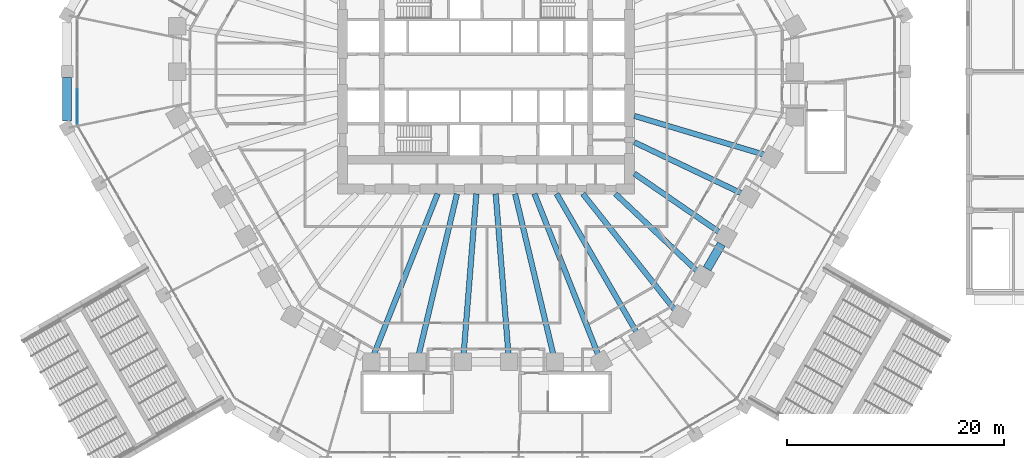
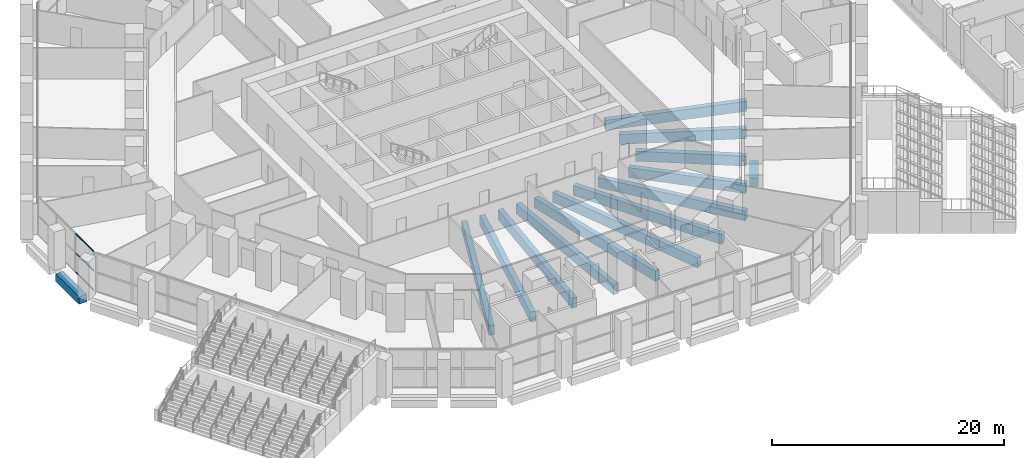
# One storey, part 5 of 38: 14 beams, 3 members, 1 element without a shape of its own.
"""IFC4 building model written with IfcOpenShell, lengths in metres."""

from ifc_helpers import new_model, si_unit, direction, frame, origin, origin_2d, place, context, subcontext, project, spatial, rectangle, extrude, material, material_profile, profile_set, type_object, element, aggregate, save


model = new_model("IFC4")

# Units and contexts
model_context = context("Model", 3, precision=1e-05, world=origin(), true_north=direction((0.0, 1.0)))
body_context = subcontext(model_context, "Body", "Model", "MODEL_VIEW")
ifc_project = project(units=[si_unit("LENGTHUNIT", "METRE"), si_unit("AREAUNIT", "SQUARE_METRE"), si_unit("VOLUMEUNIT", "CUBIC_METRE"), si_unit("PLANEANGLEUNIT", "RADIAN"), si_unit("MASSUNIT", "GRAM", prefix="KILO")], contexts=[model_context])

# Site, building, storey
site_placement = place(None, origin())
site = spatial("IfcSite", under=ifc_project, at=site_placement, CompositionType="ELEMENT")
building_placement = place(site_placement, origin())
building = spatial("IfcBuilding", under=site, at=building_placement, Name="Frailejon Research Tower", CompositionType="ELEMENT")
storey_placement = place(building_placement, frame((0.0, 0.0, 10.199951171875)))
storey = spatial("IfcBuildingStorey", under=building, at=storey_placement, Name="L02", CompositionType="ELEMENT", Elevation=10.199951171875)

# Beams
ifc_material_1 = material(Name="Concrete C60/75", Category="concrete")
ifc_material_profile_1 = material_profile(ifc_material_1, rectangle(XDim=0.800048828125, YDim=0.800048828125, at=origin_2d()), Name="Base ring beam")
ifc_profile_set_1 = profile_set([ifc_material_profile_1], Name="Concrete C60/75")
beam_type_1 = type_object("IfcBeamType", Name="Base ring beam", PredefinedType="BEAM", material=ifc_profile_set_1)
beam_1_placement = place(storey_placement, frame((-38.569091796875, -0.550048828125, -0.75), z_axis=(0.0, -1.0, 0.0), x_axis=(1.0, 0.0, 0.0)))
element("IfcBeam", 1, at=beam_1_placement, inside=storey, type_object=beam_type_1, Name="Base ring beam", PredefinedType="BEAM", context=body_context, shape_type="SweptSolid", body=[
    extrude(rectangle(XDim=0.800048828125, YDim=0.800048828125, at=origin_2d()), origin(), (0.0, 0.0, 1.0), 4.010986328125),
])
ifc_material_2 = material(Name="Concrete C60/75", Category="concrete")
ifc_material_profile_2 = material_profile(ifc_material_2, rectangle(XDim=0.5, YDim=1.050048828125, at=origin_2d()), Name="Girder 500x1050")
ifc_profile_set_2 = profile_set([ifc_material_profile_2], Name="Concrete C60/75")
beam_type_2 = type_object("IfcBeamType", Name="Girder 500x1050", PredefinedType="BEAM", material=ifc_profile_set_2)
beam_2_placement = place(storey_placement, frame((-10.318115234375, -26.03955078125, -0.875), z_axis=(0.368382887996, 0.929674162183, 0.0), x_axis=(-0.929674162183, 0.368382887996, 0.0)))
element("IfcBeam", 2, at=beam_2_placement, inside=storey, type_object=beam_type_2, Name="Girder 500x1050", PredefinedType="BEAM", context=body_context, shape_type="SweptSolid", body=[
    extrude(rectangle(XDim=0.5, YDim=1.050048828125, at=origin_2d()), origin(), (0.0, 0.0, 1.0), 15.908203125),
])
beam_3_placement = place(storey_placement, frame((-6.1923828125, -26.0458984375, -0.875), z_axis=(0.23129352639, 0.972884013976, 0.0), x_axis=(-0.972884013976, 0.23129352639, 0.0)))
element("IfcBeam", 3, at=beam_3_placement, inside=storey, type_object=beam_type_2, Name="Girder 500x1050", PredefinedType="BEAM", context=body_context, shape_type="SweptSolid", body=[
    extrude(rectangle(XDim=0.5, YDim=1.050048828125, at=origin_2d()), origin(), (0.0, 0.0, 1.0), 15.208251953125),
])
for number, where, z_axis, x_axis, name in (
    (4, (-2.064453125, -26.049560546875, -0.875), (0.079001387797, 0.996874506007, 0.0), (-0.996874506007, 0.079001387797, 0.0), "Girder 500x1050"),
    (5, (2.064453125, -26.049560546875, -0.875), (-0.079001387797, 0.996874506007, 0.0), (-0.996874506007, -0.079001387797, 0.0), "Girder 500x1050"),
):
    element("IfcBeam", number, at=place(storey_placement, frame(where, z_axis=z_axis, x_axis=x_axis)), inside=storey, type_object=beam_type_2, Name=name, PredefinedType="BEAM", context=body_context, shape_type="SweptSolid", body=[
        extrude(rectangle(XDim=0.5, YDim=1.050048828125, at=origin_2d()), origin(), (0.0, 0.0, 1.0), 14.845947265625),
    ])
beam_4_placement = place(storey_placement, frame((6.1923828125, -26.0458984375, -0.875), z_axis=(-0.23129352639, 0.972884013976, 0.0), x_axis=(-0.972884013976, -0.23129352639, 0.0)))
element("IfcBeam", 6, at=beam_4_placement, inside=storey, type_object=beam_type_2, Name="Girder 500x1050", PredefinedType="BEAM", context=body_context, shape_type="SweptSolid", body=[
    extrude(rectangle(XDim=0.5, YDim=1.050048828125, at=origin_2d()), origin(), (0.0, 0.0, 1.0), 15.208251953125),
])
beam_5_placement = place(storey_placement, frame((10.33740234375, -26.087646484375, -0.875), z_axis=(-0.368395300595, 0.929669243602, 0.0), x_axis=(-0.929669243602, -0.368395300595, 0.0)))
element("IfcBeam", 7, at=beam_5_placement, inside=storey, type_object=beam_type_2, Name="Girder 500x1050", PredefinedType="BEAM", context=body_context, shape_type="SweptSolid", body=[
    extrude(rectangle(XDim=0.5, YDim=1.050048828125, at=origin_2d()), origin(), (0.0, 0.0, 1.0), 15.960205078125),
])
beam_6_placement = place(storey_placement, frame((13.88134765625, -24.043212890625, -0.875), z_axis=(-0.500003328639, 0.866023481986, 0.0), x_axis=(-0.866023481986, -0.500003328639, 0.0)))
element("IfcBeam", 8, at=beam_6_placement, inside=storey, type_object=beam_type_2, Name="Girder 500x1050", PredefinedType="BEAM", context=body_context, shape_type="SweptSolid", body=[
    extrude(rectangle(XDim=0.5, YDim=1.050048828125, at=origin_2d()), origin(), (0.0, 0.0, 1.0), 14.7724609375),
])
beam_7_placement = place(storey_placement, frame((17.3916015625, -21.955322265625, -0.875), z_axis=(-0.620924993475, 0.783869984422, 0.0), x_axis=(-0.783869984422, -0.620924993475, 0.0)))
element("IfcBeam", 9, at=beam_7_placement, inside=storey, type_object=beam_type_2, Name="Girder 500x1050", PredefinedType="BEAM", context=body_context, shape_type="SweptSolid", body=[
    extrude(rectangle(XDim=0.5, YDim=1.050048828125, at=origin_2d()), origin(), (0.0, 0.0, 1.0), 13.656982421875),
])
beam_8_placement = place(storey_placement, frame((19.460205078125, -18.3857421875, -0.875), z_axis=(-0.72688803019, 0.686755991285, 0.0), x_axis=(-0.686755991285, -0.72688803019, 0.0)))
element("IfcBeam", 10, at=beam_8_placement, inside=storey, type_object=beam_type_2, Name="Girder 500x1050", PredefinedType="BEAM", context=body_context, shape_type="SweptSolid", body=[
    extrude(rectangle(XDim=0.5, YDim=1.050048828125, at=origin_2d()), origin(), (0.0, 0.0, 1.0), 10.390625),
])
beam_9_placement = place(storey_placement, frame((21.52734375, -14.8125, -0.875), z_axis=(-0.823825821578, 0.566843025626, 0.0), x_axis=(-0.566843025626, -0.823825821578, 0.0)))
element("IfcBeam", 11, at=beam_9_placement, inside=storey, type_object=beam_type_2, Name="Girder 500x1050", PredefinedType="BEAM", context=body_context, shape_type="SweptSolid", body=[
    extrude(rectangle(XDim=0.5, YDim=1.050048828125, at=origin_2d()), origin(), (0.0, 0.0, 1.0), 9.56201171875),
])
beam_10_placement = place(storey_placement, frame((23.591796875, -11.23681640625, -0.875), z_axis=(-0.902829780982, 0.429998123917, 0.0), x_axis=(-0.429998123917, -0.902829780982, 0.0)))
element("IfcBeam", 12, at=beam_10_placement, inside=storey, type_object=beam_type_2, Name="Girder 500x1050", PredefinedType="BEAM", context=body_context, shape_type="SweptSolid", body=[
    extrude(rectangle(XDim=0.5, YDim=1.050048828125, at=origin_2d()), origin(), (0.0, 0.0, 1.0), 11.011962890625),
])
beam_11_placement = place(storey_placement, frame((25.652587890625, -7.66015625, -0.875), z_axis=(-0.958189747387, 0.286133549242, 0.0), x_axis=(-0.286133549242, -0.958189747387, 0.0)))
element("IfcBeam", 13, at=beam_11_placement, inside=storey, type_object=beam_type_2, Name="Girder 500x1050", PredefinedType="BEAM", context=body_context, shape_type="SweptSolid", body=[
    extrude(rectangle(XDim=0.5, YDim=1.050048828125, at=origin_2d()), origin(), (0.0, 0.0, 1.0), 12.5263671875),
])
ifc_material_3 = material(Name="Concrete C60/75", Category="concrete")
ifc_material_profile_3 = material_profile(ifc_material_3, rectangle(XDim=0.800048828125, YDim=0.89990234375, at=origin_2d()), Name="Podium ring beam")
ifc_profile_set_3 = profile_set([ifc_material_profile_3], Name="Concrete C60/75")
beam_type_3 = type_object("IfcBeamType", Name="Podium ring beam", PredefinedType="BEAM", material=ifc_profile_set_3)
beam_12_placement = place(storey_placement, frame((20.348876953125, -18.15478515625, -0.800048828125), z_axis=(0.499949948743, 0.866054298963, 0.0), x_axis=(-0.866054298963, 0.499949948743, 0.0)))
element("IfcBeam", 14, at=beam_12_placement, inside=storey, type_object=beam_type_3, Name="Podium ring beam", PredefinedType="BEAM", context=body_context, shape_type="SweptSolid", body=[
    extrude(rectangle(XDim=0.800048828125, YDim=0.89990234375, at=origin_2d()), origin(), (0.0, 0.0, 1.0), 2.632080078125),
])

# Curtain wall, members
ifc_material_4 = material(Name="Aluminium curtain wall", Category="aluminium")
curtain_wall_type = type_object("IfcCurtainWallType", Name="Podium stick curtain wall system", PredefinedType="NOTDEFINED", material=ifc_material_4)
curtain_wall_placement = place(storey_placement, origin())
curtain_wall = element("IfcCurtainWall", 15, at=curtain_wall_placement, inside=storey, type_object=curtain_wall_type, Name="Curtain wall L02", PredefinedType="NOTDEFINED")
ifc_material_5 = material(Name="Aluminium extrusion", Category="aluminium")
ifc_material_profile_4 = material_profile(ifc_material_5, rectangle(XDim=0.06005859375, YDim=0.14990234375, at=origin_2d()), Name="Podium stick curtain wall transom 60x150")
ifc_profile_set_4 = profile_set([ifc_material_profile_4], Name="Aluminium extrusion")
member_type = type_object("IfcMemberType", Name="Podium stick curtain wall transom 60x150", PredefinedType="USERDEFINED", material=ifc_profile_set_4)
member_1_placement = place(storey_placement, frame((-37.619140625, -1.643798828125, 0.030029296875), z_axis=(0.0, -1.0, 0.0), x_axis=(1.0, 0.0, 0.0)))
member_1 = element("IfcMember", 16, at=member_1_placement, type_object=member_type, Name="CW2-039 transom 3.1", ObjectType="TRANSOM", PredefinedType="USERDEFINED", context=body_context, shape_type="SweptSolid", body=[
    extrude(rectangle(XDim=0.06005859375, YDim=0.14990234375, at=origin_2d()), origin(), (0.0, 0.0, 1.0), 3.1376953125),
])
member_2_placement = place(storey_placement, frame((-37.619140625, -1.643798828125, 2.050048828125), z_axis=(0.0, -1.0, 0.0), x_axis=(1.0, 0.0, 0.0)))
member_2 = element("IfcMember", 17, at=member_2_placement, type_object=member_type, Name="CW2-039 transom 3.2", ObjectType="TRANSOM", PredefinedType="USERDEFINED", context=body_context, shape_type="SweptSolid", body=[
    extrude(rectangle(XDim=0.06005859375, YDim=0.14990234375, at=origin_2d()), origin(), (0.0, 0.0, 1.0), 3.1376953125),
])
member_3_placement = place(storey_placement, frame((-37.619140625, -1.643798828125, 4.070068359375), z_axis=(0.0, -1.0, 0.0), x_axis=(1.0, 0.0, 0.0)))
member_3 = element("IfcMember", 18, at=member_3_placement, type_object=member_type, Name="CW2-039 transom 3.3", ObjectType="TRANSOM", PredefinedType="USERDEFINED", context=body_context, shape_type="SweptSolid", body=[
    extrude(rectangle(XDim=0.06005859375, YDim=0.14990234375, at=origin_2d()), origin(), (0.0, 0.0, 1.0), 3.1376953125),
])
aggregate(curtain_wall, [member_1, member_2, member_3])

save(model, "model.ifc")
